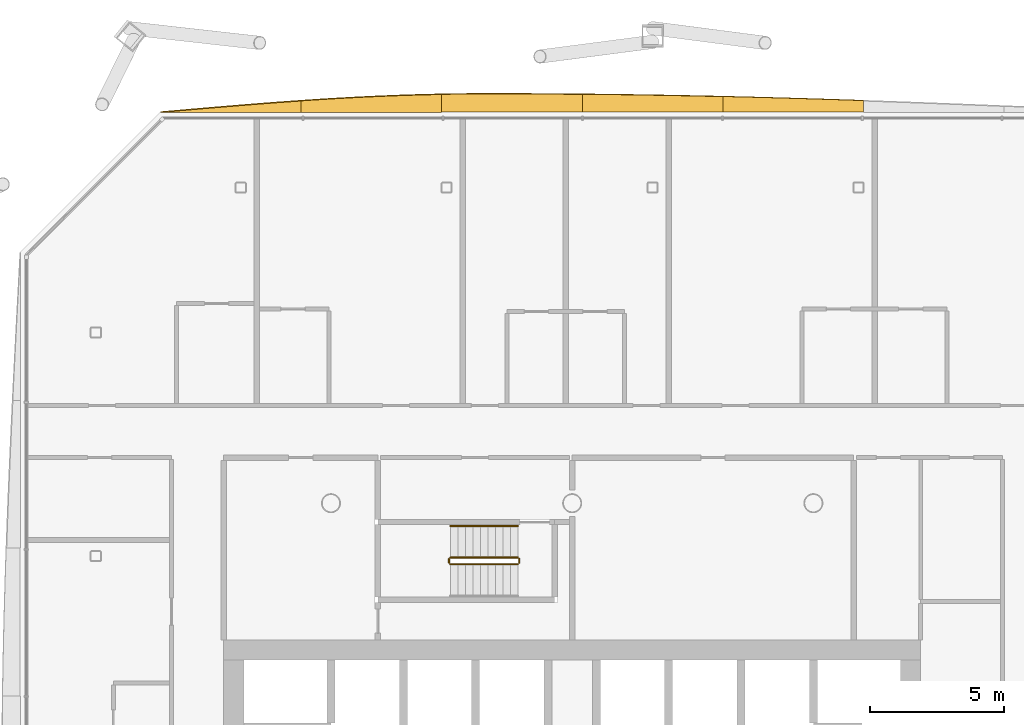
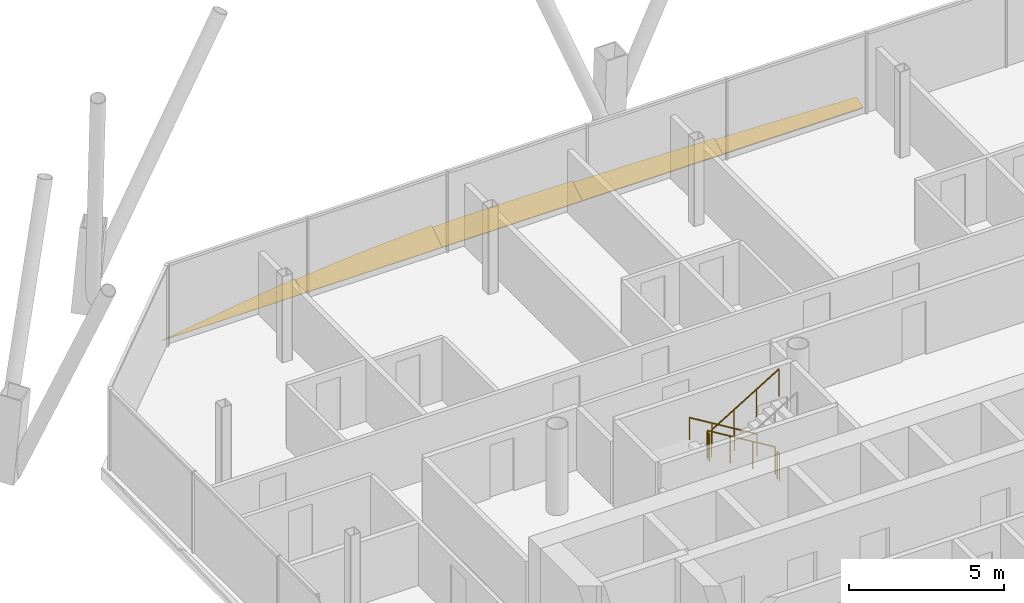
# One storey, part 21 of 22: 5 railings, 5 shading devices.
"""IFC4 building model written with IfcOpenShell, lengths in metres."""

from ifc_helpers import new_model, si_unit, direction, frame, origin, origin_2d, place, context, subcontext, project, spatial, polyline, circle, outline, extrude, material, layer, layer_set, type_object, element, save


model = new_model("IFC4")

# Units and contexts
model_context = context("Model", 3, precision=1e-05, world=origin(), true_north=direction((0.0, 1.0)))
body_context = subcontext(model_context, "Body", "Model", "MODEL_VIEW")
ifc_project = project(units=[si_unit("LENGTHUNIT", "METRE"), si_unit("AREAUNIT", "SQUARE_METRE"), si_unit("VOLUMEUNIT", "CUBIC_METRE"), si_unit("PLANEANGLEUNIT", "RADIAN"), si_unit("MASSUNIT", "GRAM", prefix="KILO")], contexts=[model_context])

# Site, building, storey
site_placement = place(None, origin())
site = spatial("IfcSite", under=ifc_project, at=site_placement, CompositionType="ELEMENT")
building_placement = place(site_placement, origin())
building = spatial("IfcBuilding", under=site, at=building_placement, Name="Tskaro Facet Tower", CompositionType="ELEMENT")
storey_placement = place(building_placement, frame((0.0, 0.0, 121.5)))
storey = spatial("IfcBuildingStorey", under=building, at=storey_placement, Name="L28", CompositionType="ELEMENT", Elevation=121.5)

# Shading devices
ifc_material_1 = material(Name="Bronze anodised aluminium 6063-T6", Category="aluminium")
ifc_layer = layer(ifc_material_1, 0.06005859375, Name="Bronze anodised aluminium 6063-T6")
ifc_layer_set = layer_set([ifc_layer], Name="Bronze anodised aluminium 6063-T6")
shading_device_type = type_object("IfcShadingDeviceType", Name="Bronze sun blade (FN1)", PredefinedType="USERDEFINED", material=ifc_layer_set)
shading_device_1_placement = place(storey_placement, frame((10.8671875, 23.596435546875, 0.056396484375), z_axis=(1.0367762e-05, -0.342034427207, 0.939687421698), x_axis=(-0.999999999946, -3.546132e-06, 9.742456e-06)))
element("IfcShadingDevice", 1, at=shading_device_1_placement, inside=storey, type_object=shading_device_type, Name="Fin blade north 3", ObjectType="FIN", PredefinedType="USERDEFINED", context=body_context, shape_type="SweptSolid", body=[
    extrude(outline(polyline([(0.0, 0.0), (5.2448730465931135, -2.2212901374345867e-21), (5.2448730469967115, -0.6144659165714321), (4.495605467244771, -0.5949216000202946), (3.74633789095585, -0.574459619971356), (2.9970703127258704, -0.552370631179212), (2.2478027340676063, -0.5289675540171478), (1.4985351564938318, -0.5045633088584479), (0.749267578491773, -0.4788449753298275), (-8.043252586020964e-10, -0.45204196930573703), (0.0, 0.0)])), origin(), (0.0, 0.0, -1.0), 0.06005859375),
])
shading_device_2_placement = place(storey_placement, frame((5.622314453125, 23.591552734375, 0.054443359375), z_axis=(3.638664e-06, -0.422463156066, 0.906380097836), x_axis=(-0.999999999993, -1.537202e-06, 3.298013e-06)))
element("IfcShadingDevice", 2, at=shading_device_2_placement, inside=storey, type_object=shading_device_type, Name="Fin blade north 4", ObjectType="FIN", PredefinedType="USERDEFINED", context=body_context, shape_type="SweptSolid", body=[
    extrude(outline(polyline([(0.0, 0.0), (5.244628906215281, 0.0), (5.244628906118117, -0.7339877868230714), (4.495361327875188, -0.7248138771981361), (3.7460937498983693, -0.7143272657174029), (2.9968261721330665, -0.7019822435547601), (2.247802734828985, -0.6880000949137826), (1.4985351563608353, -0.6726021039980449), (0.7492675777289093, -0.6555669866039723), (-2.6161451997828833e-10, -0.6369978831505272), (0.0, 0.0)])), origin(), (0.0, 0.0, -1.0), 0.06005859375),
])
shading_device_3_placement = place(storey_placement, frame((0.377685546875, 23.5869140625, 0.052001953125), z_axis=(2.675977e-06, -0.499923985914, 0.866069286086), x_axis=(-0.999999999996, -1.337785e-06, 2.317581e-06)))
element("IfcShadingDevice", 3, at=shading_device_3_placement, inside=storey, type_object=shading_device_type, Name="Fin blade north 5", ObjectType="FIN", PredefinedType="USERDEFINED", context=body_context, shape_type="SweptSolid", body=[
    extrude(outline(polyline([(0.0, 0.0), (5.244873046856221, -1.1106450687172933e-21), (5.244873046942925, -0.7695921271546007), (4.495605468834473, -0.7822803941242782), (3.746337890969791, -0.7879738691127455), (3.5456542968939018, -0.7881853118095445), (2.9970703122816578, -0.7878518173583715), (2.247802734508939, -0.7856720687664838), (1.4985351561933946, -0.7814019625251334), (0.7492675778134413, -0.7757084875366661), (2.2294620722346468e-11, -0.768168758407484), (0.0, 0.0)])), origin(), (0.0, 0.0, -1.0), 0.06005859375),
])
shading_device_4_placement = place(storey_placement, frame((-4.8671875, 23.58251953125, 0.049072265625), z_axis=(1.8025e-07, -0.573553469713, 0.819168125222), x_axis=(-1.0, -1.03383e-07, 1.47655e-07)))
element("IfcShadingDevice", 4, at=shading_device_4_placement, inside=storey, type_object=shading_device_type, Name="Fin blade north 6", ObjectType="FIN", PredefinedType="USERDEFINED", context=body_context, shape_type="SweptSolid", body=[
    extrude(outline(polyline([(0.0, 0.0), (5.244873046874915, 0.0), (5.2448730468896985, -0.5213203250518033), (4.4956054687598925, -0.5818026790848521), (3.7463378906049662, -0.6365247931386028), (2.997070312486209, -0.68542670269755), (2.247802734382001, -0.7278283679204172), (1.4985351562562963, -0.7635897611046372), (0.7492675781235251, -0.7921708701114998), (8.927482060317308e-12, -0.8133717027229332), (0.0, 0.0)])), origin(), (0.0, 0.0, -1.0), 0.06005859375),
])
shading_device_5_placement = place(storey_placement, frame((-10.112060546875, 23.578369140625, 0.0458984375), z_axis=(-1.2828307e-05, -0.642803760373, 0.766030890686), x_axis=(-0.999999999918, 8.246084e-06, -9.82688e-06)))
element("IfcShadingDevice", 5, at=shading_device_5_placement, inside=storey, type_object=shading_device_type, Name="Fin blade north 7", ObjectType="FIN", PredefinedType="USERDEFINED", context=body_context, shape_type="SweptSolid", body=[
    extrude(outline(polyline([(0.0, 0.0), (5.244873046443438, 0.0), (4.495605469739446, -0.08596239998989058), (3.7463378893949812, -0.17120680768664787), (2.9970703133793393, -0.2545745120102844), (2.247802733253767, -0.33566138969131243), (1.4985351566016225, -0.41365268342200406), (0.7492675773832933, -0.4879873354210488), (-8.44271221004271e-10, -0.557476549859845), (0.0, 0.0)])), origin(), (0.0, 0.0, -1.0), 0.06005859375),
])

# Railings
ifc_material_2 = material(Name="Stainless steel", Category="steel")
railing_type_1 = type_object("IfcRailingType", Name="RL-GUARD-1100", PredefinedType="GUARDRAIL", material=ifc_material_2)
railing_1_placement = place(storey_placement, frame((-2.02490234375, 6.97509765625, 0.169921875)))
element("IfcRailing", 6, at=railing_1_placement, inside=storey, type_object=railing_type_1, Name="L28 ST-3 stair guard 1", PredefinedType="GUARDRAIL", context=body_context, shape_type="SweptSolid", body=[
    extrude(circle(Radius=0.02392578125, at=origin_2d()), frame((0.0, 0.0, 1.076171875), z_axis=(-0.85478489116, 0.0, 0.518982456201), x_axis=(0.0, -1.0, 0.0)), (0.0, 0.0, 1.0), 2.9482421875),
    extrude(circle(Radius=0.02099609375, at=origin_2d()), origin(), (0.0, 0.0, 1.0), 1.052001953125),
    extrude(circle(Radius=0.02099609375, at=origin_2d()), frame((-0.840087890625, 0.0, 0.510009765625)), (0.0, 0.0, 1.0), 1.052001953125),
    extrude(circle(Radius=0.02099609375, at=origin_2d()), frame((-1.679931640625, 0.0, 1.02001953125)), (0.0, 0.0, 1.0), 1.052001953125),
    extrude(circle(Radius=0.02099609375, at=origin_2d()), frame((-2.52001953125, 0.0, 1.530029296875)), (0.0, 0.0, 1.0), 1.052001953125),
])
railing_2_placement = place(storey_placement, frame((-4.594970703125, 6.925048828125, 1.699951171875)))
element("IfcRailing", 7, at=railing_2_placement, inside=storey, type_object=railing_type_1, Name="L28 ST-3 stair guard 2", PredefinedType="GUARDRAIL", context=body_context, shape_type="SweptSolid", body=[
    extrude(circle(Radius=0.02392578125, at=origin_2d()), frame((0.0, 0.0, 1.076171875), z_axis=(0.0, -1.0, 0.0), x_axis=(1.0, 0.0, 0.0)), (0.0, 0.0, 1.0), 0.150146484375),
    extrude(circle(Radius=0.02099609375, at=origin_2d()), origin(), (0.0, 0.0, 1.0), 1.052001953125),
    extrude(circle(Radius=0.02099609375, at=origin_2d()), frame((0.0, -0.150146484375, 0.0)), (0.0, 0.0, 1.0), 1.052001953125),
])
railing_3_placement = place(storey_placement, frame((-4.544921875, 6.72509765625, 1.8701171875)))
element("IfcRailing", 8, at=railing_3_placement, inside=storey, type_object=railing_type_1, Name="L28 ST-3 stair guard 3", PredefinedType="GUARDRAIL", context=body_context, shape_type="SweptSolid", body=[
    extrude(circle(Radius=0.02392578125, at=origin_2d()), frame((0.0, 0.0, 1.076171875), z_axis=(0.854821627497, 0.0, 0.518921945155), x_axis=(0.0, 1.0, 0.0)), (0.0, 0.0, 1.0), 2.947998046875),
    extrude(circle(Radius=0.02099609375, at=origin_2d()), origin(), (0.0, 0.0, 1.0), 1.052001953125),
    extrude(circle(Radius=0.02099609375, at=origin_2d()), frame((0.840087890625, 0.0, 0.510009765625)), (0.0, 0.0, 1.0), 1.052001953125),
    extrude(circle(Radius=0.02099609375, at=origin_2d()), frame((1.679931640625, 0.0, 1.019775390625)), (0.0, 0.0, 1.0), 1.052001953125),
    extrude(circle(Radius=0.02099609375, at=origin_2d()), frame((2.52001953125, 0.0, 1.52978515625)), (0.0, 0.0, 1.0), 1.052001953125),
])
railing_4_placement = place(storey_placement, frame((-1.97509765625, 6.925048828125, 0.0)))
element("IfcRailing", 9, at=railing_4_placement, inside=storey, type_object=railing_type_1, Name="L28 ST-3 stair guard 4", PredefinedType="GUARDRAIL", context=body_context, shape_type="SweptSolid", body=[
    extrude(circle(Radius=0.02392578125, at=origin_2d()), frame((0.0, 0.0, 1.076171875), z_axis=(0.0, -1.0, 0.0), x_axis=(1.0, 0.0, 0.0)), (0.0, 0.0, 1.0), 0.150146484375),
    extrude(circle(Radius=0.02099609375, at=origin_2d()), origin(), (0.0, 0.0, 1.0), 1.052001953125),
    extrude(circle(Radius=0.02099609375, at=origin_2d()), frame((0.0, -0.150146484375, 0.0)), (0.0, 0.0, 1.0), 1.052001953125),
])
railing_type_2 = type_object("IfcRailingType", Name="RL-HANDRAIL-900", PredefinedType="HANDRAIL", material=ifc_material_2)
railing_5_placement = place(storey_placement, frame((-2.02490234375, 8.14990234375, 0.169921875)))
element("IfcRailing", 10, at=railing_5_placement, inside=storey, type_object=railing_type_2, Name="L28 ST-3 stair handrail 1", PredefinedType="HANDRAIL", context=body_context, shape_type="SweptSolid", body=[
    extrude(circle(Radius=0.02392578125, at=origin_2d()), frame((0.0, 0.0, 0.8759765625), z_axis=(-0.85478489116, 0.0, 0.518982456201), x_axis=(0.0, -1.0, 0.0)), (0.0, 0.0, 1.0), 2.9482421875),
    extrude(circle(Radius=0.02099609375, at=origin_2d()), origin(), (0.0, 0.0, 1.0), 0.851806640625),
    extrude(circle(Radius=0.02099609375, at=origin_2d()), frame((-0.840087890625, 0.0, 0.510009765625)), (0.0, 0.0, 1.0), 0.851806640625),
    extrude(circle(Radius=0.02099609375, at=origin_2d()), frame((-1.679931640625, 0.0, 1.02001953125)), (0.0, 0.0, 1.0), 0.851806640625),
    extrude(circle(Radius=0.02099609375, at=origin_2d()), frame((-2.52001953125, 0.0, 1.530029296875)), (0.0, 0.0, 1.0), 0.851806640625),
])

save(model, "model.ifc")
